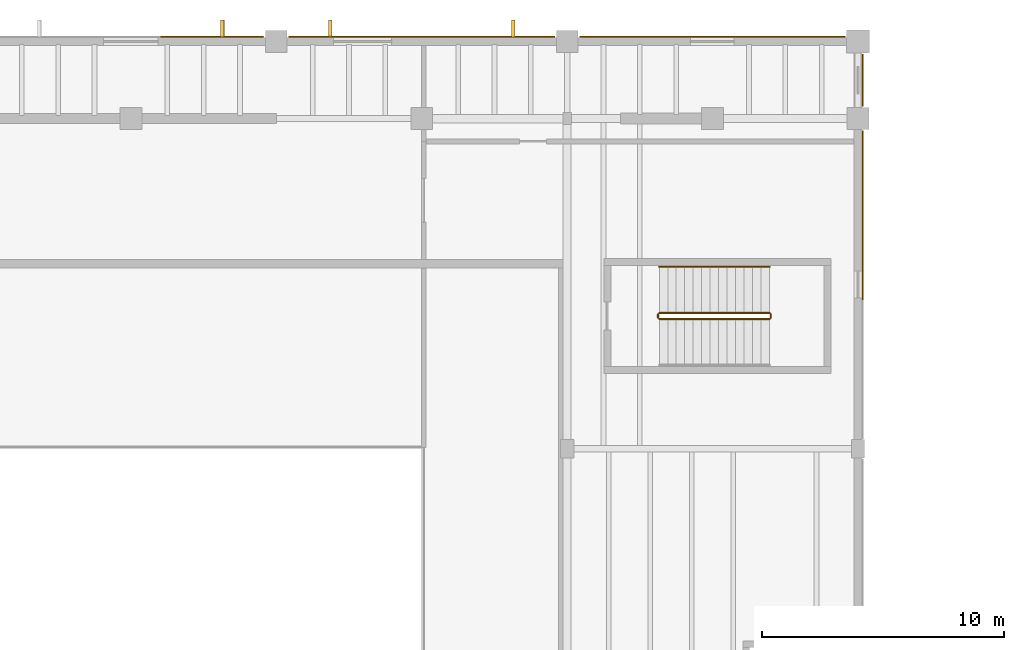
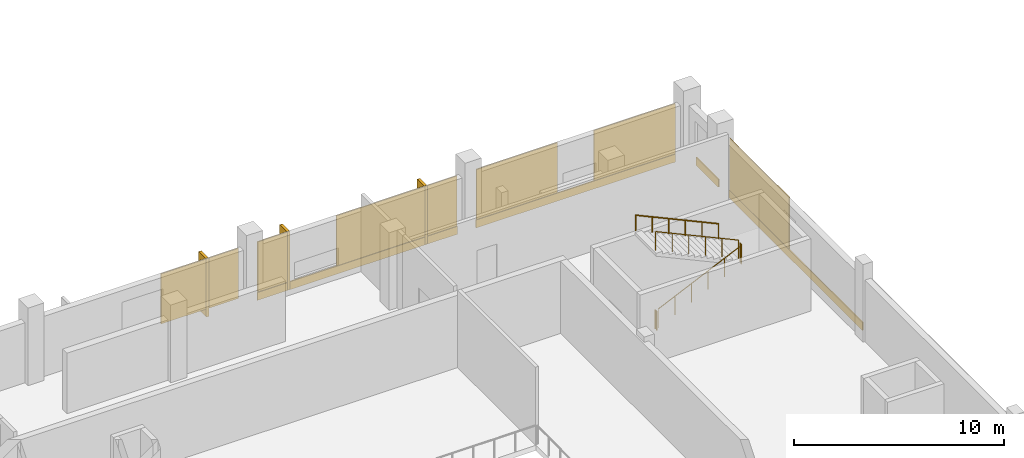
# One storey, part 109 of 114: 13 coverings, 5 railings, 3 shading devices.
"""IFC4 building model written with IfcOpenShell, lengths in metres."""

from ifc_helpers import new_model, si_unit, direction, frame, origin, origin_2d, place, context, subcontext, project, spatial, rectangle, circle, extrude, material, layer, layer_set, type_object, element, save


model = new_model("IFC4")

# Units and contexts
model_context = context("Model", 3, precision=1e-05, world=origin(), true_north=direction((0.0, 1.0)))
body_context = subcontext(model_context, "Body", "Model", "MODEL_VIEW")
ifc_project = project(units=[si_unit("LENGTHUNIT", "METRE"), si_unit("AREAUNIT", "SQUARE_METRE"), si_unit("VOLUMEUNIT", "CUBIC_METRE"), si_unit("PLANEANGLEUNIT", "RADIAN"), si_unit("MASSUNIT", "GRAM", prefix="KILO")], contexts=[model_context])

# Site, building, storey
site_placement = place(None, origin())
site = spatial("IfcSite", under=ifc_project, at=site_placement, CompositionType="ELEMENT")
building_placement = place(site_placement, origin())
building = spatial("IfcBuilding", under=site, at=building_placement, Name="Kelmvaro Bay Concert Hall", CompositionType="ELEMENT")
storey_placement = place(building_placement, frame((0.0, 0.0, 4.800048828125)))
storey = spatial("IfcBuildingStorey", under=building, at=storey_placement, Name="L01", CompositionType="ELEMENT", Elevation=4.800048828125)

# Shading devices
ifc_material_1 = material(Name="Anodised Extruded Aluminium 6063-T6", Category="aluminium")
ifc_layer_1 = layer(ifc_material_1, 3.39990234375)
ifc_layer_set_1 = layer_set([ifc_layer_1], Name="Anodised Extruded Aluminium 6063-T6")
shading_device_type = type_object("IfcShadingDeviceType", Name="Bauhaus Vertical Solar Brise-Soleil Fin 720x3400", PredefinedType="SHUTTER", material=ifc_layer_set_1)
for number, where, z_axis, x_axis, name in (
    (1, (33.77392578125, 114.52587890625, 0.0595703125), (0.0, 0.0, 1.0), (1.0, 0.0, 0.0), "L01 Solar Brise-Soleil Fin 004"),
    (2, (38.22607421875, 114.52587890625, 0.0595703125), (0.0, 0.0, 1.0), (1.0, 0.0, 0.0), "L01 Solar Brise-Soleil Fin 005"),
    (3, (45.77392578125, 114.52587890625, 0.0595703125), (0.0, 0.0, 1.0), (1.0, 0.0, 0.0), "L01 Solar Brise-Soleil Fin 006"),
):
    element("IfcShadingDevice", number, at=place(storey_placement, frame(where, z_axis=z_axis, x_axis=x_axis)), inside=storey, type_object=shading_device_type, Name=name, PredefinedType="SHUTTER", context=body_context, shape_type="SweptSolid", body=[
        extrude(rectangle(XDim=0.159912109375, YDim=0.719970703125, at=origin_2d()), origin(), (0.0, 0.0, 1.0), 3.366943359375),
    ])

# Coverings
ifc_material_2 = material(Name="PVDF-Coated Architectural Aluminium", Category="aluminium")
ifc_layer_2 = layer(ifc_material_2, 0.0400390625)
ifc_layer_set_2 = layer_set([ifc_layer_2], Name="PVDF-Coated Architectural Aluminium")
covering_type_1 = type_object("IfcCoveringType", Name="De Stijl Enamelled Aluminium Fascia Panel 40", PredefinedType="CLADDING", material=ifc_layer_set_2)
for number, where, z_axis, x_axis, name in (
    (4, (33.77392578125, 114.52587890625, 0.0595703125), (0.0, 0.0, 1.0), (1.0, 0.0, 0.0), "L01 Architectural Vertical Fin Cladding 0029"),
    (5, (38.22607421875, 114.52587890625, 0.0595703125), (0.0, 0.0, 1.0), (1.0, 0.0, 0.0), "L01 Architectural Vertical Fin Cladding 0033"),
    (6, (45.77392578125, 114.52587890625, 0.0595703125), (0.0, 0.0, 1.0), (1.0, 0.0, 0.0), "L01 Architectural Vertical Fin Cladding 0034"),
):
    element("IfcCovering", number, at=place(storey_placement, frame(where, z_axis=z_axis, x_axis=x_axis)), inside=storey, type_object=covering_type_1, Name=name, PredefinedType="CLADDING", context=body_context, shape_type="SweptSolid", body=[
        extrude(rectangle(XDim=0.139892578125, YDim=0.699951171875, at=origin_2d()), origin(), (0.0, 0.0, 1.0), 3.366943359375),
    ])
ifc_material_3 = material(Name="Honed Florida Limestone Travertine", Category="masonry")
ifc_layer_3 = layer(ifc_material_3, 0.054931640625)
ifc_layer_set_3 = layer_set([ifc_layer_3], Name="Honed Florida Limestone Travertine")
covering_type_2 = type_object("IfcCoveringType", Name="Honed Florida Travertine Rainscreen Cladding 55", PredefinedType="CLADDING", material=ifc_layer_set_3)
covering_1_placement = place(storey_placement, frame((33.347412109375, 114.195556640625, 0.52001953125), z_axis=(0.0, 0.0, 1.0), x_axis=(1.0, 0.0, 0.0)))
element("IfcCovering", 7, at=covering_1_placement, inside=storey, type_object=covering_type_2, Name="L01 Travertine Pier Panel 0031", PredefinedType="CLADDING", context=body_context, shape_type="SweptSolid", body=[
    extrude(rectangle(XDim=4.2451171875, YDim=0.054931640625, at=origin_2d()), origin(), (0.0, 0.0, 1.0), 2.906982421875),
])
covering_2_placement = place(storey_placement, frame((42.0, 114.195556640625, 0.0400390625), z_axis=(0.0, 0.0, 1.0), x_axis=(1.0, 0.0, 0.0)))
element("IfcCovering", 8, at=covering_2_placement, inside=storey, type_object=covering_type_2, Name="L01 Travertine Sill Band 0032", PredefinedType="CLADDING", context=body_context, shape_type="SweptSolid", body=[
    extrude(rectangle(XDim=10.97998046875, YDim=0.054931640625, at=origin_2d()), origin(), (0.0, 0.0, 1.0), 0.4599609375),
])
covering_3_placement = place(storey_placement, frame((37.39404296875, 114.195556640625, 0.52001953125), z_axis=(0.0, 0.0, 1.0), x_axis=(1.0, 0.0, 0.0)))
element("IfcCovering", 9, at=covering_3_placement, inside=storey, type_object=covering_type_2, Name="L01 Travertine Pier Panel 0035", PredefinedType="CLADDING", context=body_context, shape_type="SweptSolid", body=[
    extrude(rectangle(XDim=1.72802734375, YDim=0.054931640625, at=origin_2d()), origin(), (0.0, 0.0, 1.0), 2.906982421875),
])
covering_4_placement = place(storey_placement, frame((44.1640625, 114.195556640625, 0.52001953125), z_axis=(0.0, 0.0, 1.0), x_axis=(1.0, 0.0, 0.0)))
element("IfcCovering", 10, at=covering_4_placement, inside=storey, type_object=covering_type_2, Name="L01 Travertine Pier Panel 0036", PredefinedType="CLADDING", context=body_context, shape_type="SweptSolid", body=[
    extrude(rectangle(XDim=6.612060546875, YDim=0.054931640625, at=origin_2d()), origin(), (0.0, 0.0, 1.0), 2.906982421875),
])
covering_5_placement = place(storey_placement, frame((53.987548828125, 114.195556640625, 0.0400390625), z_axis=(0.0, 0.0, 1.0), x_axis=(1.0, 0.0, 0.0)))
element("IfcCovering", 11, at=covering_5_placement, inside=storey, type_object=covering_type_2, Name="L01 Travertine Sill Band 0037", PredefinedType="CLADDING", context=body_context, shape_type="SweptSolid", body=[
    extrude(rectangle(XDim=10.955078125, YDim=0.054931640625, at=origin_2d()), origin(), (0.0, 0.0, 1.0), 0.4599609375),
])
covering_6_placement = place(storey_placement, frame((50.7587890625, 114.195556640625, 0.52001953125), z_axis=(0.0, 0.0, 1.0), x_axis=(1.0, 0.0, 0.0)))
element("IfcCovering", 12, at=covering_6_placement, inside=storey, type_object=covering_type_2, Name="L01 Travertine Pier Panel 0038", PredefinedType="CLADDING", context=body_context, shape_type="SweptSolid", body=[
    extrude(rectangle(XDim=4.4580078125, YDim=0.054931640625, at=origin_2d()), origin(), (0.0, 0.0, 1.0), 2.906982421875),
])
covering_7_placement = place(storey_placement, frame((57.21630859375, 114.195556640625, 0.52001953125), z_axis=(0.0, 0.0, 1.0), x_axis=(1.0, 0.0, 0.0)))
element("IfcCovering", 13, at=covering_7_placement, inside=storey, type_object=covering_type_2, Name="L01 Travertine Pier Panel 0039", PredefinedType="CLADDING", context=body_context, shape_type="SweptSolid", body=[
    extrude(rectangle(XDim=4.45703125, YDim=0.054931640625, at=origin_2d()), origin(), (0.0, 0.0, 1.0), 2.906982421875),
])
covering_8_placement = place(storey_placement, frame((60.195556640625, 112.3974609375, 0.0400390625), z_axis=(0.0, 0.0, 1.0), x_axis=(0.0, -1.0, 0.0)))
element("IfcCovering", 14, at=covering_8_placement, inside=storey, type_object=covering_type_2, Name="L01 Travertine Sill Band 0062", PredefinedType="CLADDING", context=body_context, shape_type="SweptSolid", body=[
    extrude(rectangle(XDim=2.135009765625, YDim=0.054931640625, at=origin_2d()), origin(), (0.0, 0.0, 1.0), 0.4599609375),
])
covering_9_placement = place(storey_placement, frame((60.195556640625, 103.972412109375, 0.0400390625), z_axis=(0.0, 0.0, 1.0), x_axis=(0.0, -1.0, 0.0)))
element("IfcCovering", 15, at=covering_9_placement, inside=storey, type_object=covering_type_2, Name="L01 Travertine Sill Band 0063", PredefinedType="CLADDING", context=body_context, shape_type="SweptSolid", body=[
    extrude(rectangle(XDim=12.675048828125, YDim=0.054931640625, at=origin_2d()), origin(), (0.0, 0.0, 1.0), 0.4599609375),
])
covering_10_placement = place(storey_placement, frame((60.195556640625, 107.456298828125, 0.52001953125), z_axis=(0.0, 0.0, 1.0), x_axis=(0.0, -1.0, 0.0)))
element("IfcCovering", 16, at=covering_10_placement, inside=storey, type_object=covering_type_2, Name="L01 Travertine Pier Panel 0064", PredefinedType="CLADDING", context=body_context, shape_type="SweptSolid", body=[
    extrude(rectangle(XDim=5.66796875, YDim=0.054931640625, at=origin_2d()), origin(), (0.0, 0.0, 1.0), 2.989013671875),
])

# Railings
ifc_material_4 = material(Name="Brushed Stainless Steel 316", Category="steel")
railing_type_1 = type_object("IfcRailingType", Name="Stair Stainless Wall Handrail 900", PredefinedType="HANDRAIL", material=ifc_material_4)
railing_1_placement = place(storey_placement, frame((56.35009765625, 104.699951171875, 2.41064453125)))
element("IfcRailing", 17, at=railing_1_placement, inside=storey, type_object=railing_type_1, Name="L01 ST-02 stair handrail 2", PredefinedType="HANDRAIL", context=body_context, shape_type="SweptSolid", body=[
    extrude(circle(Radius=0.02392578125, at=origin_2d()), frame((0.0, 0.0, 0.8759765625), z_axis=(-0.908768316152, 0.0, 0.417301027506), x_axis=(0.0, -1.0, 0.0)), (0.0, 0.0, 1.0), 5.0068359375),
    extrude(circle(Radius=0.02099609375, at=origin_2d()), origin(), (0.0, 0.0, 1.0), 0.851806640625),
    extrude(circle(Radius=0.02099609375, at=origin_2d()), frame((-0.909912109375, 0.0, 0.41796875)), (0.0, 0.0, 1.0), 0.851806640625),
    extrude(circle(Radius=0.02099609375, at=origin_2d()), frame((-1.820068359375, 0.0, 0.835693359375)), (0.0, 0.0, 1.0), 0.851806640625),
    extrude(circle(Radius=0.02099609375, at=origin_2d()), frame((-2.72998046875, 0.0, 1.253662109375)), (0.0, 0.0, 1.0), 0.851806640625),
    extrude(circle(Radius=0.02099609375, at=origin_2d()), frame((-3.64013671875, 0.0, 1.67138671875)), (0.0, 0.0, 1.0), 0.851806640625),
    extrude(circle(Radius=0.02099609375, at=origin_2d()), frame((-4.550048828125, 0.0, 2.08935546875)), (0.0, 0.0, 1.0), 0.851806640625),
])
ifc_material_5 = material(Name="Powder-Coated Steel ASTM A500", Category="steel")
railing_type_2 = type_object("IfcRailingType", Name="Stair Well Painted Steel Guard 1100", PredefinedType="BALUSTRADE", material=ifc_material_5)
railing_2_placement = place(storey_placement, frame((51.800048828125, 102.550048828125, 0.16064453125)))
element("IfcRailing", 18, at=railing_2_placement, inside=storey, type_object=railing_type_2, Name="L01 ST-02 stair guard 1", PredefinedType="BALUSTRADE", context=body_context, shape_type="SweptSolid", body=[
    extrude(circle(Radius=0.02392578125, at=origin_2d()), frame((0.0, 0.0, 1.076171875), z_axis=(0.908768316152, 0.0, 0.417301027506), x_axis=(0.0, 1.0, 0.0)), (0.0, 0.0, 1.0), 5.0068359375),
    extrude(circle(Radius=0.02099609375, at=origin_2d()), origin(), (0.0, 0.0, 1.0), 1.052001953125),
    extrude(circle(Radius=0.02099609375, at=origin_2d()), frame((0.909912109375, 0.0, 0.41796875)), (0.0, 0.0, 1.0), 1.052001953125),
    extrude(circle(Radius=0.02099609375, at=origin_2d()), frame((1.820068359375, 0.0, 0.835693359375)), (0.0, 0.0, 1.0), 1.052001953125),
    extrude(circle(Radius=0.02099609375, at=origin_2d()), frame((2.72998046875, 0.0, 1.253662109375)), (0.0, 0.0, 1.0), 1.052001953125),
    extrude(circle(Radius=0.02099609375, at=origin_2d()), frame((3.64013671875, 0.0, 1.67138671875)), (0.0, 0.0, 1.0), 1.052001953125),
    extrude(circle(Radius=0.02099609375, at=origin_2d()), frame((4.550048828125, 0.0, 2.08935546875)), (0.0, 0.0, 1.0), 1.052001953125),
])
railing_3_placement = place(storey_placement, frame((56.39990234375, 102.60009765625, 2.25)))
element("IfcRailing", 19, at=railing_3_placement, inside=storey, type_object=railing_type_2, Name="L01 ST-02 stair guard 2", PredefinedType="BALUSTRADE", context=body_context, shape_type="SweptSolid", body=[
    extrude(circle(Radius=0.02392578125, at=origin_2d()), frame((0.0, 0.0, 1.076171875), z_axis=(0.0, 1.0, 0.0), x_axis=(-1.0, 0.0, 0.0)), (0.0, 0.0, 1.0), 0.14990234375),
    extrude(circle(Radius=0.02099609375, at=origin_2d()), origin(), (0.0, 0.0, 1.0), 1.052001953125),
    extrude(circle(Radius=0.02099609375, at=origin_2d()), frame((0.0, 0.14990234375, 0.0)), (0.0, 0.0, 1.0), 1.052001953125),
])
railing_4_placement = place(storey_placement, frame((56.35009765625, 102.800048828125, 2.41064453125)))
element("IfcRailing", 20, at=railing_4_placement, inside=storey, type_object=railing_type_2, Name="L01 ST-02 stair guard 3", PredefinedType="BALUSTRADE", context=body_context, shape_type="SweptSolid", body=[
    extrude(circle(Radius=0.02392578125, at=origin_2d()), frame((0.0, 0.0, 1.076171875), z_axis=(-0.908768316152, 0.0, 0.417301027506), x_axis=(0.0, -1.0, 0.0)), (0.0, 0.0, 1.0), 5.0068359375),
    extrude(circle(Radius=0.02099609375, at=origin_2d()), origin(), (0.0, 0.0, 1.0), 1.052001953125),
    extrude(circle(Radius=0.02099609375, at=origin_2d()), frame((-0.909912109375, 0.0, 0.41796875)), (0.0, 0.0, 1.0), 1.052001953125),
    extrude(circle(Radius=0.02099609375, at=origin_2d()), frame((-1.820068359375, 0.0, 0.835693359375)), (0.0, 0.0, 1.0), 1.052001953125),
    extrude(circle(Radius=0.02099609375, at=origin_2d()), frame((-2.72998046875, 0.0, 1.253662109375)), (0.0, 0.0, 1.0), 1.052001953125),
    extrude(circle(Radius=0.02099609375, at=origin_2d()), frame((-3.64013671875, 0.0, 1.67138671875)), (0.0, 0.0, 1.0), 1.052001953125),
    extrude(circle(Radius=0.02099609375, at=origin_2d()), frame((-4.550048828125, 0.0, 2.08935546875)), (0.0, 0.0, 1.0), 1.052001953125),
])
railing_5_placement = place(storey_placement, frame((51.75, 102.60009765625, 0.0)))
element("IfcRailing", 21, at=railing_5_placement, inside=storey, type_object=railing_type_2, Name="L01 ST-02 stair guard 4", PredefinedType="BALUSTRADE", context=body_context, shape_type="SweptSolid", body=[
    extrude(circle(Radius=0.02392578125, at=origin_2d()), frame((0.0, 0.0, 1.076171875), z_axis=(0.0, 1.0, 0.0), x_axis=(-1.0, 0.0, 0.0)), (0.0, 0.0, 1.0), 0.14990234375),
    extrude(circle(Radius=0.02099609375, at=origin_2d()), origin(), (0.0, 0.0, 1.0), 1.052001953125),
    extrude(circle(Radius=0.02099609375, at=origin_2d()), frame((0.0, 0.14990234375, 0.0)), (0.0, 0.0, 1.0), 1.052001953125),
])

save(model, "model.ifc")
